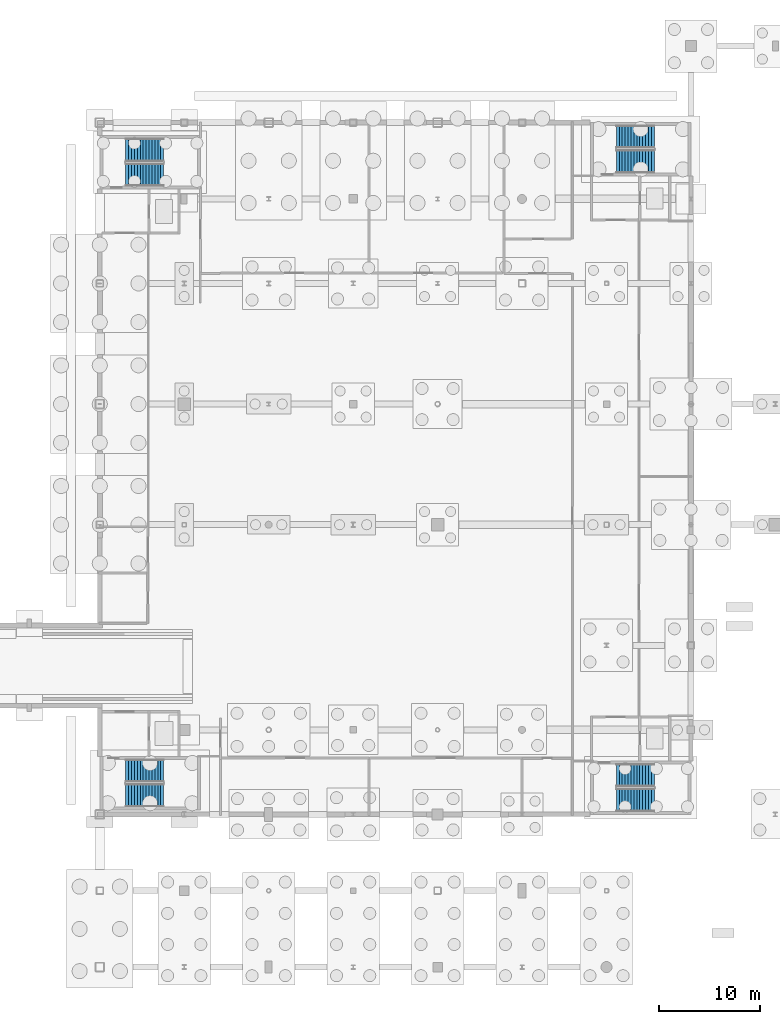
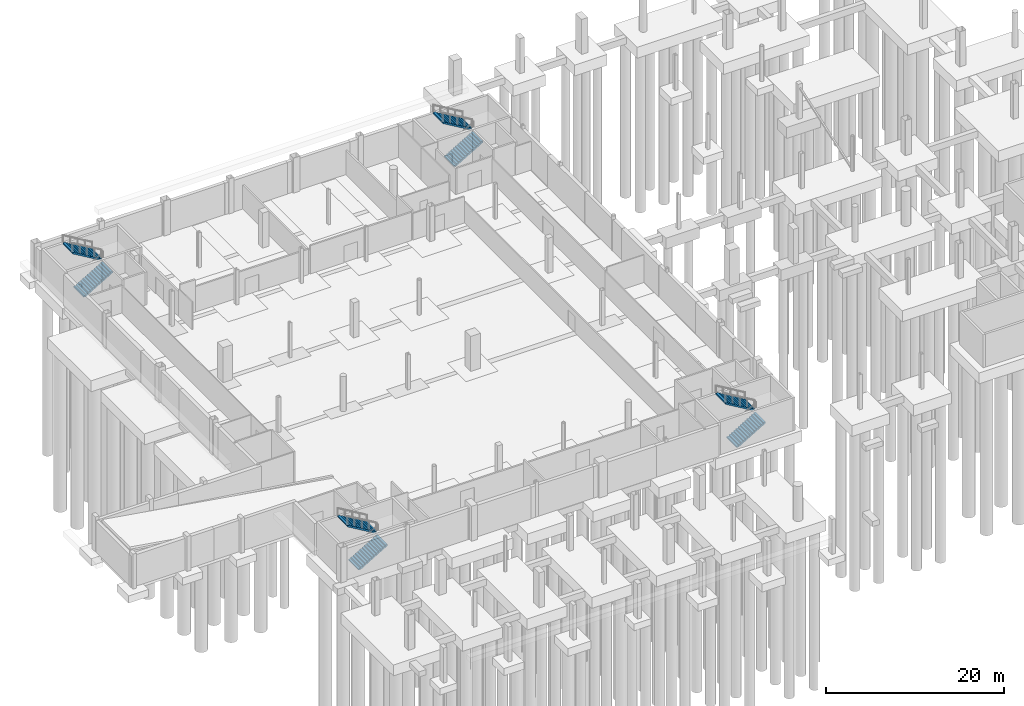
# One storey, part 29 of 34: 8 stair flights, 4 elements without a shape of their own.
"""IFC4 building model written with IfcOpenShell, lengths in metres."""

from ifc_helpers import new_model, si_unit, direction, frame, origin, place, context, subcontext, project, spatial, polyline, outline, extrude, material, type_object, element, aggregate, save


model = new_model("IFC4")

# Units and contexts
model_context = context("Model", 3, precision=1e-05, world=origin(), true_north=direction((0.0, 1.0)))
body_context = subcontext(model_context, "Body", "Model", "MODEL_VIEW")
ifc_project = project(units=[si_unit("LENGTHUNIT", "METRE"), si_unit("AREAUNIT", "SQUARE_METRE"), si_unit("VOLUMEUNIT", "CUBIC_METRE"), si_unit("PLANEANGLEUNIT", "RADIAN"), si_unit("MASSUNIT", "GRAM", prefix="KILO")], contexts=[model_context])

# Site, building, storey
site_placement = place(None, origin())
site = spatial("IfcSite", under=ifc_project, at=site_placement, CompositionType="ELEMENT")
building_placement = place(site_placement, origin())
building = spatial("IfcBuilding", under=site, at=building_placement, Name="Larkvane Passage Sports Hall", CompositionType="ELEMENT")
storey_placement = place(building_placement, frame((0.0, 0.0, -4.800048828125)))
storey = spatial("IfcBuildingStorey", under=building, at=storey_placement, Name="B01", CompositionType="ELEMENT", Elevation=-4.800048828125)

# Stair, stair flights
ifc_material = material(Name="Concrete C40/50", Category="concrete")
stair_type = type_object("IfcStairType", Name="STR-CORE-2250", PredefinedType="HALF_TURN_STAIR", material=ifc_material)
stair_1_placement = place(storey_placement, origin())
stair_1 = element("IfcStair", 1, at=stair_1_placement, inside=storey, type_object=stair_type, Name="B01 Protected exit stair ST-01", PredefinedType="HALF_TURN_STAIR")
stair_flight_type = type_object("IfcStairFlightType", Name="SFL-RC-2250", PredefinedType="STRAIGHT", material=ifc_material)
stair_flight_1_placement = place(storey_placement, frame((37.3798828125, 24.675048828125, 0.0), z_axis=(0.0, 0.0, 1.0), x_axis=(1.0, 0.0, 0.0)))
stair_flight_1 = element("IfcStairFlight", 2, at=stair_flight_1_placement, type_object=stair_flight_type, Name="ST-01 flight 1", NumberOfRisers=14, NumberOfTreads=13, PredefinedType="STRAIGHT", RiserHeight=0.171428571, TreadLength=0.29, context=body_context, shape_type="SweptSolid", body=[
    extrude(outline(polyline([(0.0, 0.0), (0.0, 0.17138671875), (0.2900390625, 0.17138671875), (0.2900390625, 0.3427734375), (0.580078125, 0.3427734375), (0.580078125, 0.514404296875), (0.8701171875, 0.514404296875), (0.8701171875, 0.685791015625), (1.159912109375, 0.685791015625), (1.159912109375, 0.857177734375), (1.449951171875, 0.857177734375), (1.449951171875, 1.028564453125), (1.739990234375, 1.028564453125), (1.739990234375, 1.199951171875), (2.030029296875, 1.199951171875), (2.030029296875, 1.371337890625), (2.320068359375, 1.371337890625), (2.320068359375, 1.54296875), (2.610107421875, 1.54296875), (2.610107421875, 1.71435546875), (2.89990234375, 1.71435546875), (2.89990234375, 1.8857421875), (3.18994140625, 1.8857421875), (3.18994140625, 2.05712890625), (3.47998046875, 2.05712890625), (3.47998046875, 2.228515625), (3.77001953125, 2.228515625), (3.77001953125, 2.39990234375), (3.77001953125, 2.042724609375), (0.314208984375, 0.0), (0.0, 0.0)])), frame((0.0, 1.125, 0.0), z_axis=(0.0, -1.0, 0.0), x_axis=(1.0, 0.0, 0.0)), (0.0, 0.0, 1.0), 2.25),
])
stair_flight_2_placement = place(storey_placement, frame((41.14990234375, 27.125, 2.400146484375), z_axis=(0.0, 0.0, 1.0), x_axis=(-1.0, 0.0, 0.0)))
stair_flight_2 = element("IfcStairFlight", 3, at=stair_flight_2_placement, type_object=stair_flight_type, Name="ST-01 flight 2", NumberOfRisers=14, NumberOfTreads=13, PredefinedType="STRAIGHT", RiserHeight=0.171428571, TreadLength=0.29, context=body_context, shape_type="SweptSolid", body=[
    extrude(outline(polyline([(0.0, 0.0), (0.0, 0.17138671875), (0.2900390625, 0.17138671875), (0.2900390625, 0.3427734375), (0.580078125, 0.3427734375), (0.580078125, 0.514404296875), (0.8701171875, 0.514404296875), (0.8701171875, 0.685791015625), (1.159912109375, 0.685791015625), (1.159912109375, 0.857177734375), (1.449951171875, 0.857177734375), (1.449951171875, 1.028564453125), (1.739990234375, 1.028564453125), (1.739990234375, 1.199951171875), (2.030029296875, 1.199951171875), (2.030029296875, 1.371337890625), (2.320068359375, 1.371337890625), (2.320068359375, 1.54296875), (2.610107421875, 1.54296875), (2.610107421875, 1.71435546875), (2.89990234375, 1.71435546875), (2.89990234375, 1.8857421875), (3.18994140625, 1.8857421875), (3.18994140625, 2.05712890625), (3.47998046875, 2.05712890625), (3.47998046875, 2.228515625), (3.77001953125, 2.228515625), (3.77001953125, 2.39990234375), (3.77001953125, 2.042724609375), (0.314208984375, 0.0), (0.0, 0.0)])), frame((0.0, 1.125, 0.0), z_axis=(0.0, -1.0, 0.0), x_axis=(1.0, 0.0, 0.0)), (0.0, 0.0, 1.0), 2.25),
])
aggregate(stair_1, [stair_flight_1, stair_flight_2])

stair_2_placement = place(storey_placement, origin())
stair_2 = element("IfcStair", 4, at=stair_2_placement, inside=storey, type_object=stair_type, Name="B01 Protected exit stair ST-02", PredefinedType="HALF_TURN_STAIR")
stair_flight_3_placement = place(storey_placement, frame((37.3798828125, 86.425048828125, 0.0), z_axis=(0.0, 0.0, 1.0), x_axis=(1.0, 0.0, 0.0)))
stair_flight_3 = element("IfcStairFlight", 5, at=stair_flight_3_placement, type_object=stair_flight_type, Name="ST-02 flight 1", NumberOfRisers=14, NumberOfTreads=13, PredefinedType="STRAIGHT", RiserHeight=0.171428571, TreadLength=0.29, context=body_context, shape_type="SweptSolid", body=[
    extrude(outline(polyline([(0.0, 0.0), (0.0, 0.17138671875), (0.2900390625, 0.17138671875), (0.2900390625, 0.3427734375), (0.580078125, 0.3427734375), (0.580078125, 0.514404296875), (0.8701171875, 0.514404296875), (0.8701171875, 0.685791015625), (1.159912109375, 0.685791015625), (1.159912109375, 0.857177734375), (1.449951171875, 0.857177734375), (1.449951171875, 1.028564453125), (1.739990234375, 1.028564453125), (1.739990234375, 1.199951171875), (2.030029296875, 1.199951171875), (2.030029296875, 1.371337890625), (2.320068359375, 1.371337890625), (2.320068359375, 1.54296875), (2.610107421875, 1.54296875), (2.610107421875, 1.71435546875), (2.89990234375, 1.71435546875), (2.89990234375, 1.8857421875), (3.18994140625, 1.8857421875), (3.18994140625, 2.05712890625), (3.47998046875, 2.05712890625), (3.47998046875, 2.228515625), (3.77001953125, 2.228515625), (3.77001953125, 2.39990234375), (3.77001953125, 2.042724609375), (0.314208984375, 0.0), (0.0, 0.0)])), frame((0.0, 1.125, 0.0), z_axis=(0.0, -1.0, 0.0), x_axis=(1.0, 0.0, 0.0)), (0.0, 0.0, 1.0), 2.25),
])
stair_flight_4_placement = place(storey_placement, frame((41.14990234375, 88.875, 2.400146484375), z_axis=(0.0, 0.0, 1.0), x_axis=(-1.0, 0.0, 0.0)))
stair_flight_4 = element("IfcStairFlight", 6, at=stair_flight_4_placement, type_object=stair_flight_type, Name="ST-02 flight 2", NumberOfRisers=14, NumberOfTreads=13, PredefinedType="STRAIGHT", RiserHeight=0.171428571, TreadLength=0.29, context=body_context, shape_type="SweptSolid", body=[
    extrude(outline(polyline([(0.0, 0.0), (0.0, 0.17138671875), (0.2900390625, 0.17138671875), (0.2900390625, 0.3427734375), (0.580078125, 0.3427734375), (0.580078125, 0.514404296875), (0.8701171875, 0.514404296875), (0.8701171875, 0.685791015625), (1.159912109375, 0.685791015625), (1.159912109375, 0.857177734375), (1.449951171875, 0.857177734375), (1.449951171875, 1.028564453125), (1.739990234375, 1.028564453125), (1.739990234375, 1.199951171875), (2.030029296875, 1.199951171875), (2.030029296875, 1.371337890625), (2.320068359375, 1.371337890625), (2.320068359375, 1.54296875), (2.610107421875, 1.54296875), (2.610107421875, 1.71435546875), (2.89990234375, 1.71435546875), (2.89990234375, 1.8857421875), (3.18994140625, 1.8857421875), (3.18994140625, 2.05712890625), (3.47998046875, 2.05712890625), (3.47998046875, 2.228515625), (3.77001953125, 2.228515625), (3.77001953125, 2.39990234375), (3.77001953125, 2.042724609375), (0.314208984375, 0.0), (0.0, 0.0)])), frame((0.0, 1.125, 0.0), z_axis=(0.0, -1.0, 0.0), x_axis=(1.0, 0.0, 0.0)), (0.0, 0.0, 1.0), 2.25),
])
aggregate(stair_2, [stair_flight_3, stair_flight_4])

stair_3_placement = place(storey_placement, origin())
stair_3 = element("IfcStair", 7, at=stair_3_placement, inside=storey, type_object=stair_type, Name="B01 Protected exit stair ST-03", PredefinedType="HALF_TURN_STAIR")
stair_flight_5_placement = place(storey_placement, frame((86.179931640625, 87.72509765625, 0.0), z_axis=(0.0, 0.0, 1.0), x_axis=(1.0, 0.0, 0.0)))
stair_flight_5 = element("IfcStairFlight", 8, at=stair_flight_5_placement, type_object=stair_flight_type, Name="ST-03 flight 1", NumberOfRisers=14, NumberOfTreads=13, PredefinedType="STRAIGHT", RiserHeight=0.171428571, TreadLength=0.29, context=body_context, shape_type="SweptSolid", body=[
    extrude(outline(polyline([(0.0, 0.0), (0.0, 0.17138671875), (0.2900390625, 0.17138671875), (0.2900390625, 0.3427734375), (0.580078125, 0.3427734375), (0.580078125, 0.514404296875), (0.8701171875, 0.514404296875), (0.8701171875, 0.685791015625), (1.159912109375, 0.685791015625), (1.159912109375, 0.857177734375), (1.449951171875, 0.857177734375), (1.449951171875, 1.028564453125), (1.739990234375, 1.028564453125), (1.739990234375, 1.199951171875), (2.030029296875, 1.199951171875), (2.030029296875, 1.371337890625), (2.320068359375, 1.371337890625), (2.320068359375, 1.54296875), (2.610107421875, 1.54296875), (2.610107421875, 1.71435546875), (2.89990234375, 1.71435546875), (2.89990234375, 1.8857421875), (3.18994140625, 1.8857421875), (3.18994140625, 2.05712890625), (3.47998046875, 2.05712890625), (3.47998046875, 2.228515625), (3.77001953125, 2.228515625), (3.77001953125, 2.39990234375), (3.77001953125, 2.042724609375), (0.314208984375, 0.0), (0.0, 0.0)])), frame((0.0, 1.125, 0.0), z_axis=(0.0, -1.0, 0.0), x_axis=(1.0, 0.0, 0.0)), (0.0, 0.0, 1.0), 2.25),
])
stair_flight_6_placement = place(storey_placement, frame((89.949951171875, 90.175048828125, 2.400146484375), z_axis=(0.0, 0.0, 1.0), x_axis=(-1.0, 0.0, 0.0)))
stair_flight_6 = element("IfcStairFlight", 9, at=stair_flight_6_placement, type_object=stair_flight_type, Name="ST-03 flight 2", NumberOfRisers=14, NumberOfTreads=13, PredefinedType="STRAIGHT", RiserHeight=0.171428571, TreadLength=0.29, context=body_context, shape_type="SweptSolid", body=[
    extrude(outline(polyline([(0.0, 0.0), (0.0, 0.17138671875), (0.2900390625, 0.17138671875), (0.2900390625, 0.3427734375), (0.580078125, 0.3427734375), (0.580078125, 0.514404296875), (0.8701171875, 0.514404296875), (0.8701171875, 0.685791015625), (1.159912109375, 0.685791015625), (1.159912109375, 0.857177734375), (1.449951171875, 0.857177734375), (1.449951171875, 1.028564453125), (1.739990234375, 1.028564453125), (1.739990234375, 1.199951171875), (2.030029296875, 1.199951171875), (2.030029296875, 1.371337890625), (2.320068359375, 1.371337890625), (2.320068359375, 1.54296875), (2.610107421875, 1.54296875), (2.610107421875, 1.71435546875), (2.89990234375, 1.71435546875), (2.89990234375, 1.8857421875), (3.18994140625, 1.8857421875), (3.18994140625, 2.05712890625), (3.47998046875, 2.05712890625), (3.47998046875, 2.228515625), (3.77001953125, 2.228515625), (3.77001953125, 2.39990234375), (3.77001953125, 2.042724609375), (0.314208984375, 0.0), (0.0, 0.0)])), frame((0.0, 1.125, 0.0), z_axis=(0.0, -1.0, 0.0), x_axis=(1.0, 0.0, 0.0)), (0.0, 0.0, 1.0), 2.25),
])
aggregate(stair_3, [stair_flight_5, stair_flight_6])

stair_4_placement = place(storey_placement, origin())
stair_4 = element("IfcStair", 10, at=stair_4_placement, inside=storey, type_object=stair_type, Name="B01 Protected exit stair ST-04", PredefinedType="HALF_TURN_STAIR")
stair_flight_7_placement = place(storey_placement, frame((86.179931640625, 24.22509765625, 0.0), z_axis=(0.0, 0.0, 1.0), x_axis=(1.0, 0.0, 0.0)))
stair_flight_7 = element("IfcStairFlight", 11, at=stair_flight_7_placement, type_object=stair_flight_type, Name="ST-04 flight 1", NumberOfRisers=14, NumberOfTreads=13, PredefinedType="STRAIGHT", RiserHeight=0.171428571, TreadLength=0.29, context=body_context, shape_type="SweptSolid", body=[
    extrude(outline(polyline([(0.0, 0.0), (0.0, 0.17138671875), (0.2900390625, 0.17138671875), (0.2900390625, 0.3427734375), (0.580078125, 0.3427734375), (0.580078125, 0.514404296875), (0.8701171875, 0.514404296875), (0.8701171875, 0.685791015625), (1.159912109375, 0.685791015625), (1.159912109375, 0.857177734375), (1.449951171875, 0.857177734375), (1.449951171875, 1.028564453125), (1.739990234375, 1.028564453125), (1.739990234375, 1.199951171875), (2.030029296875, 1.199951171875), (2.030029296875, 1.371337890625), (2.320068359375, 1.371337890625), (2.320068359375, 1.54296875), (2.610107421875, 1.54296875), (2.610107421875, 1.71435546875), (2.89990234375, 1.71435546875), (2.89990234375, 1.8857421875), (3.18994140625, 1.8857421875), (3.18994140625, 2.05712890625), (3.47998046875, 2.05712890625), (3.47998046875, 2.228515625), (3.77001953125, 2.228515625), (3.77001953125, 2.39990234375), (3.77001953125, 2.042724609375), (0.314208984375, 0.0), (0.0, 0.0)])), frame((0.0, 1.125, 0.0), z_axis=(0.0, -1.0, 0.0), x_axis=(1.0, 0.0, 0.0)), (0.0, 0.0, 1.0), 2.25),
])
stair_flight_8_placement = place(storey_placement, frame((89.949951171875, 26.675048828125, 2.400146484375), z_axis=(0.0, 0.0, 1.0), x_axis=(-1.0, 0.0, 0.0)))
stair_flight_8 = element("IfcStairFlight", 12, at=stair_flight_8_placement, type_object=stair_flight_type, Name="ST-04 flight 2", NumberOfRisers=14, NumberOfTreads=13, PredefinedType="STRAIGHT", RiserHeight=0.171428571, TreadLength=0.29, context=body_context, shape_type="SweptSolid", body=[
    extrude(outline(polyline([(0.0, 0.0), (0.0, 0.17138671875), (0.2900390625, 0.17138671875), (0.2900390625, 0.3427734375), (0.580078125, 0.3427734375), (0.580078125, 0.514404296875), (0.8701171875, 0.514404296875), (0.8701171875, 0.685791015625), (1.159912109375, 0.685791015625), (1.159912109375, 0.857177734375), (1.449951171875, 0.857177734375), (1.449951171875, 1.028564453125), (1.739990234375, 1.028564453125), (1.739990234375, 1.199951171875), (2.030029296875, 1.199951171875), (2.030029296875, 1.371337890625), (2.320068359375, 1.371337890625), (2.320068359375, 1.54296875), (2.610107421875, 1.54296875), (2.610107421875, 1.71435546875), (2.89990234375, 1.71435546875), (2.89990234375, 1.8857421875), (3.18994140625, 1.8857421875), (3.18994140625, 2.05712890625), (3.47998046875, 2.05712890625), (3.47998046875, 2.228515625), (3.77001953125, 2.228515625), (3.77001953125, 2.39990234375), (3.77001953125, 2.042724609375), (0.314208984375, 0.0), (0.0, 0.0)])), frame((0.0, 1.125, 0.0), z_axis=(0.0, -1.0, 0.0), x_axis=(1.0, 0.0, 0.0)), (0.0, 0.0, 1.0), 2.25),
])
aggregate(stair_4, [stair_flight_7, stair_flight_8])

save(model, "model.ifc")
